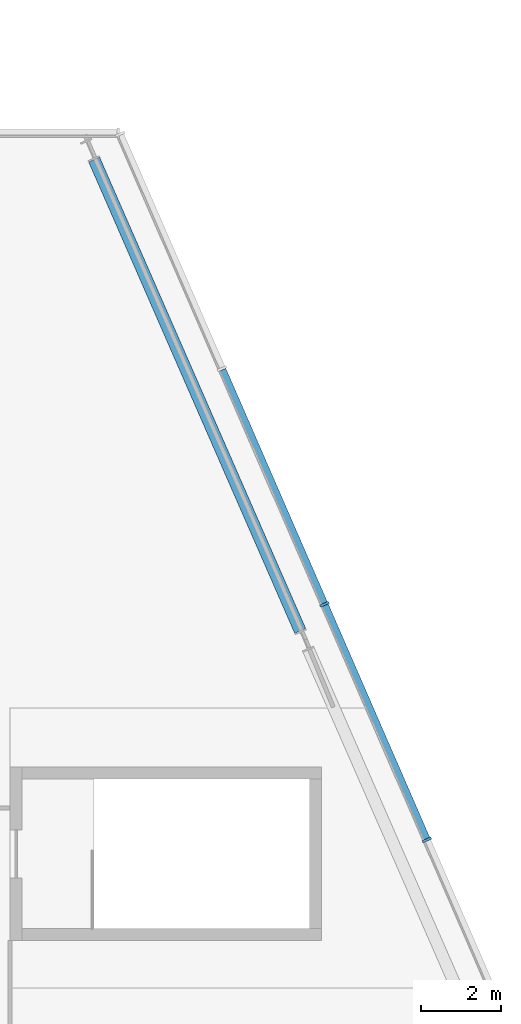
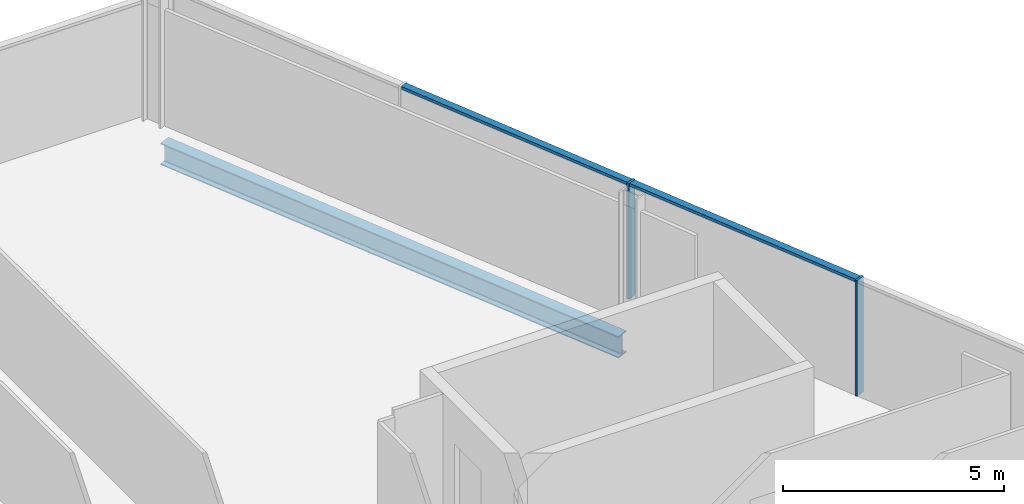
# One storey, part 8 of 19: 4 members, 1 beam, 1 element without a shape of its own.
"""IFC4 building model written with IfcOpenShell, lengths in metres."""

from ifc_helpers import new_model, si_unit, direction, frame, origin, origin_2d, place, context, subcontext, project, spatial, rectangle, i_section, extrude, material, material_profile, profile_set, type_object, element, aggregate, save


model = new_model("IFC4")

# Units and contexts
model_context = context("Model", 3, precision=1e-05, world=origin(), true_north=direction((0.0, 1.0)))
body_context = subcontext(model_context, "Body", "Model", "MODEL_VIEW")
ifc_project = project(units=[si_unit("LENGTHUNIT", "METRE"), si_unit("AREAUNIT", "SQUARE_METRE"), si_unit("VOLUMEUNIT", "CUBIC_METRE"), si_unit("PLANEANGLEUNIT", "RADIAN"), si_unit("MASSUNIT", "GRAM", prefix="KILO")], contexts=[model_context])

# Site, building, storey
site_placement = place(None, origin())
site = spatial("IfcSite", under=ifc_project, at=site_placement, CompositionType="ELEMENT")
building_placement = place(site_placement, origin())
building = spatial("IfcBuilding", under=site, at=building_placement, Name="Wharfspan Tower", CompositionType="ELEMENT")
storey_placement = place(building_placement, frame((0.0, 0.0, 257.5)))
storey = spatial("IfcBuildingStorey", under=building, at=storey_placement, Name="L65", CompositionType="ELEMENT", Elevation=257.5)

# Beam
ifc_material_1 = material(Name="Steel S355J2", Category="steel")
ifc_material_profile_1 = material_profile(ifc_material_1, i_section(OverallWidth=0.300049, OverallDepth=0.600098, WebThickness=0.015381, FlangeThickness=0.030029, FilletRadius=0.0271, at=origin_2d()))
ifc_profile_set_1 = profile_set([ifc_material_profile_1], Name="Steel S355J2")
beam_type = type_object("IfcBeamType", Name="Edge beam HEB 600", PredefinedType="SPANDREL", material=ifc_profile_set_1)
beam_placement = place(storey_placement, frame((74.13208, 29.53125, -0.699951), z_axis=(-0.400619, 0.916245, 0.0), x_axis=(-0.916245, -0.400619, 0.0)))
element("IfcBeam", 1, at=beam_placement, inside=storey, type_object=beam_type, Name="Edge beam E L65 PE.2 to PE.3", PredefinedType="SPANDREL", context=body_context, shape_type="SweptSolid", body=[
    extrude(i_section(OverallWidth=0.300049, OverallDepth=0.600098, WebThickness=0.015381, FlangeThickness=0.030029, FilletRadius=0.0271, at=origin_2d()), origin(), (0.0, 0.0, 1.0), 12.883545),
])

# Curtain wall, members
ifc_material_2 = material(Name="Aluminium 6063-T6", Category="aluminium")
curtain_wall_type = type_object("IfcCurtainWallType", Name="CURTAIN WALL PROW AND END", PredefinedType="NOTDEFINED", material=ifc_material_2)
curtain_wall_placement = place(storey_placement, origin())
curtain_wall = element("IfcCurtainWall", 2, at=curtain_wall_placement, inside=storey, type_object=curtain_wall_type, Name="Curtain wall E", PredefinedType="NOTDEFINED")
ifc_material_profile_2 = material_profile(ifc_material_2, rectangle(XDim=0.23999, YDim=0.060059, at=origin_2d()))
ifc_profile_set_2 = profile_set([ifc_material_profile_2], Name="Aluminium 6063-T6")
member_type_1 = type_object("IfcMemberType", Name="MULLION PROW AND END 60x240", PredefinedType="MULLION", material=ifc_profile_set_2)
member_1_placement = place(storey_placement, frame((77.304443, 24.300049, 0.0), z_axis=(0.0, 0.0, 1.0), x_axis=(-0.917072, -0.398727, 0.0)))
member_1 = element("IfcMember", 3, at=member_1_placement, type_object=member_type_1, Name="Curtain wall E mullion 4", PredefinedType="MULLION", context=body_context, shape_type="SweptSolid", body=[
    extrude(rectangle(XDim=0.23999, YDim=0.060059, at=origin_2d()), origin(), (0.0, 0.0, 1.0), 3.199951),
])
member_2_placement = place(storey_placement, frame((74.739014, 30.199951, 0.0), z_axis=(0.0, 0.0, 1.0), x_axis=(-0.917072, -0.398727, 0.0)))
member_2 = element("IfcMember", 4, at=member_2_placement, type_object=member_type_1, Name="Curtain wall E mullion 5", PredefinedType="MULLION", context=body_context, shape_type="SweptSolid", body=[
    extrude(rectangle(XDim=0.23999, YDim=0.060059, at=origin_2d()), origin(), (0.0, 0.0, 1.0), 3.199951),
])
ifc_material_profile_3 = material_profile(ifc_material_2, rectangle(XDim=0.179932, YDim=0.080078, at=origin_2d()))
ifc_profile_set_3 = profile_set([ifc_material_profile_3], Name="Aluminium 6063-T6")
member_type_2 = type_object("IfcMemberType", Name="TRANSOM PROW AND END 80x180", PredefinedType="USERDEFINED", material=ifc_profile_set_3)
member_3_placement = place(storey_placement, frame((77.29248, 24.327393, 3.159912), z_axis=(-0.39874, 0.917064, 0.0), x_axis=(-0.917064, -0.39874, 0.0)))
member_3 = element("IfcMember", 5, at=member_3_placement, type_object=member_type_2, Name="Curtain wall E transom 4", ObjectType="TRANSOM", PredefinedType="USERDEFINED", context=body_context, shape_type="SweptSolid", body=[
    extrude(rectangle(XDim=0.179932, YDim=0.080078, at=origin_2d()), origin(), (0.0, 0.0, 1.0), 6.373779),
])
member_4_placement = place(storey_placement, frame((74.727051, 30.227539, 3.159912), z_axis=(-0.398722, 0.917072, 0.0), x_axis=(-0.917072, -0.398722, 0.0)))
member_4 = element("IfcMember", 6, at=member_4_placement, type_object=member_type_2, Name="Curtain wall E transom 5", ObjectType="TRANSOM", PredefinedType="USERDEFINED", context=body_context, shape_type="SweptSolid", body=[
    extrude(rectangle(XDim=0.179932, YDim=0.080078, at=origin_2d()), origin(), (0.0, 0.0, 1.0), 6.373535),
])
aggregate(curtain_wall, [member_1, member_2, member_3, member_4])

save(model, "model.ifc")
